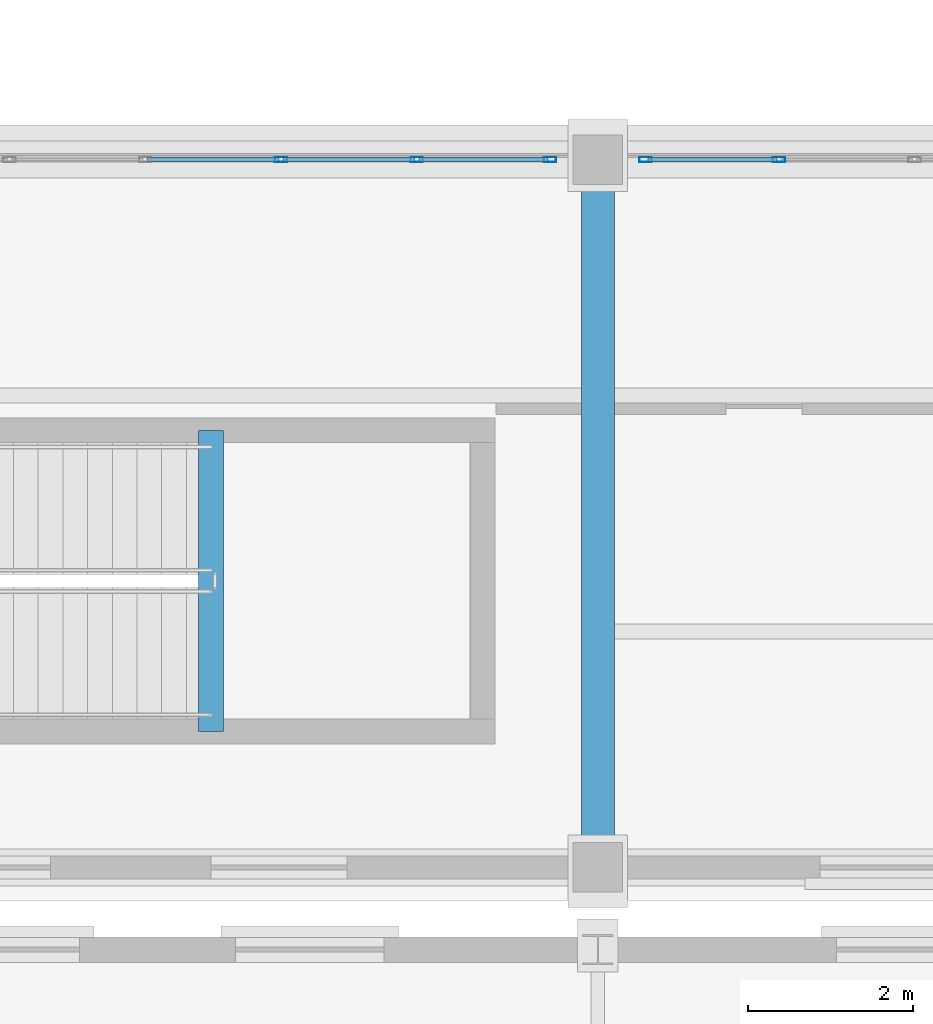
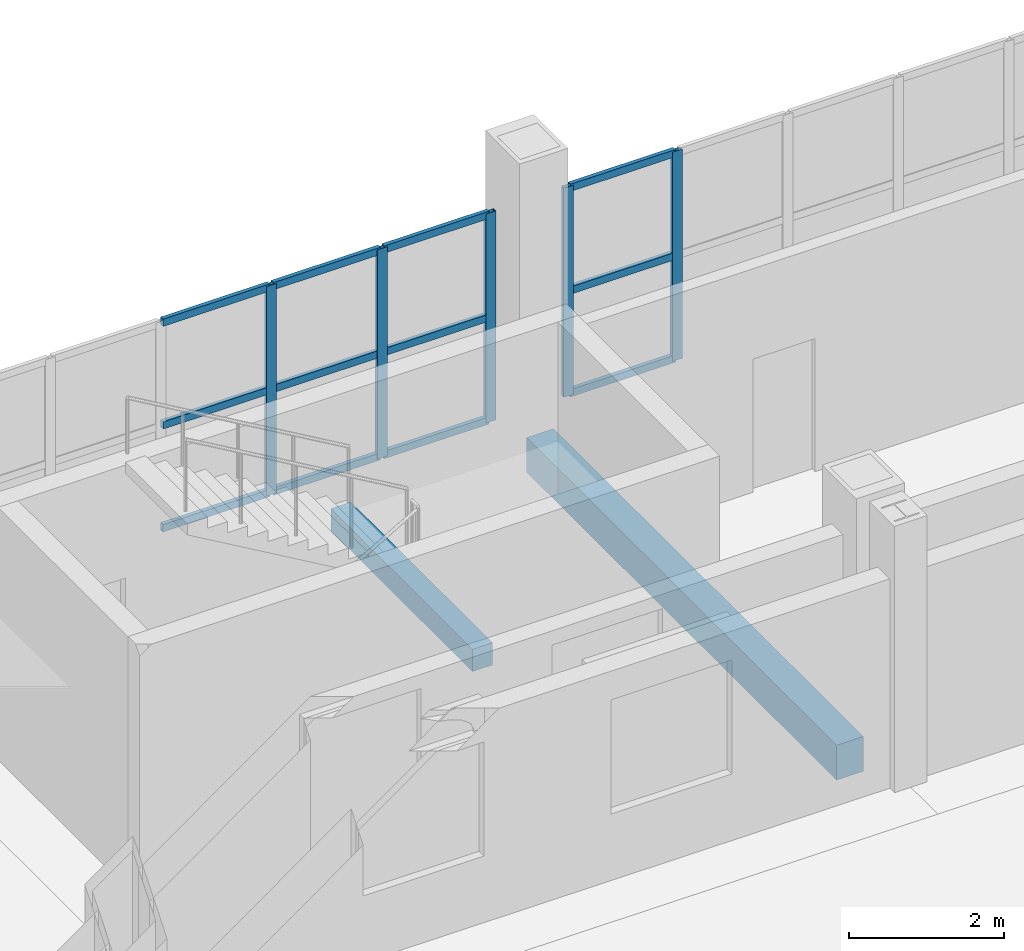
# One storey, part 56 of 120: 17 members, 2 beams, 2 elements without a shape of their own.
"""IFC4 building model written with IfcOpenShell, lengths in metres."""

from ifc_helpers import new_model, si_unit, direction, frame, origin, origin_2d, place, context, subcontext, project, spatial, rectangle, hollow_rectangle, extrude, material, material_profile, profile_set, type_object, element, aggregate, save


model = new_model("IFC4")

# Units and contexts
model_context = context("Model", 3, precision=1e-05, world=origin(), true_north=direction((0.0, 1.0)))
body_context = subcontext(model_context, "Body", "Model", "MODEL_VIEW")
ifc_project = project(units=[si_unit("LENGTHUNIT", "METRE"), si_unit("AREAUNIT", "SQUARE_METRE"), si_unit("VOLUMEUNIT", "CUBIC_METRE"), si_unit("PLANEANGLEUNIT", "RADIAN"), si_unit("MASSUNIT", "GRAM", prefix="KILO")], contexts=[model_context])

# Site, building, storey
site_placement = place(None, origin())
site = spatial("IfcSite", under=ifc_project, at=site_placement, CompositionType="ELEMENT")
building_placement = place(site_placement, origin())
building = spatial("IfcBuilding", under=site, at=building_placement, Name="Caurita Quay Ferry Terminal", CompositionType="ELEMENT")
storey_placement = place(building_placement, frame((0.0, 0.0, 9.89990234375)))
storey = spatial("IfcBuildingStorey", under=building, at=storey_placement, Name="L02", CompositionType="ELEMENT", Elevation=9.89990234375)

# Beam
ifc_material_1 = material(Name="Reinforced concrete C35/45", Category="concrete")
ifc_material_profile_1 = material_profile(ifc_material_1, rectangle(XDim=0.39990234375, YDim=0.550048828125, at=origin_2d()), Name="RC-BM-400X550")
ifc_profile_set_1 = profile_set([ifc_material_profile_1], Name="Reinforced concrete C35/45")
beam_type_1 = type_object("IfcBeamType", Name="BM-RC-4055", PredefinedType="BEAM", material=ifc_profile_set_1)
beam_1_placement = place(storey_placement, frame((44.0, 71.8974609375, -0.494873046875), z_axis=(0.0, 1.0, 0.0), x_axis=(-1.0, 0.0, 0.0)))
element("IfcBeam", 1, at=beam_1_placement, inside=storey, type_object=beam_type_1, Name="L02 Beam BM-V5-L02-Y-440-719", PredefinedType="BEAM", context=body_context, shape_type="SweptSolid", body=[
    extrude(rectangle(XDim=0.39990234375, YDim=0.550048828125, at=origin_2d()), origin(), (0.0, 0.0, 1.0), 8.005126953125),
])

# Curtain wall, members
ifc_material_2 = material(Name="Laminated solar-control insulated glass", Category="glass")
curtain_wall_type = type_object("IfcCurtainWallType", Name="CW-SYS-24", PredefinedType="NOTDEFINED", material=ifc_material_2)
curtain_wall_1_placement = place(storey_placement, origin())
curtain_wall_1 = element("IfcCurtainWall", 2, at=curtain_wall_1_placement, inside=storey, type_object=curtain_wall_type, Name="L02 Courtyard Cloister Storefront 165", PredefinedType="NOTDEFINED")
ifc_material_3 = material(Name="Anodized aluminium 6063-T6", Category="aluminium")
ifc_material_profile_2 = material_profile(ifc_material_3, hollow_rectangle(XDim=0.06005859375, YDim=0.14990234375, WallThickness=0.00341796875, at=origin_2d()), Name="ALU-MUL-60X150")
ifc_profile_set_2 = profile_set([ifc_material_profile_2], Name="Anodized aluminium 6063-T6")
member_type_1 = type_object("IfcMemberType", Name="CW-MUL-150", PredefinedType="MULLION", material=ifc_profile_set_2)
member_1_placement = place(storey_placement, frame((40.14990234375, 80.199951171875, 0.0), z_axis=(0.0, 0.0, 1.0), x_axis=(0.0, 1.0, 0.0)))
member_1 = element("IfcMember", 3, at=member_1_placement, type_object=member_type_1, Name="CW-CRT-165 Mullion 5", PredefinedType="MULLION", context=body_context, shape_type="SweptSolid", body=[
    extrude(hollow_rectangle(XDim=0.06005859375, YDim=0.14990234375, WallThickness=0.00341796875, at=origin_2d()), origin(), (0.0, 0.0, 1.0), 3.300048828125),
])
member_2_placement = place(storey_placement, frame((41.800048828125, 80.199951171875, 0.0), z_axis=(0.0, 0.0, 1.0), x_axis=(0.0, 1.0, 0.0)))
member_2 = element("IfcMember", 4, at=member_2_placement, type_object=member_type_1, Name="CW-CRT-165 Mullion 6", PredefinedType="MULLION", context=body_context, shape_type="SweptSolid", body=[
    extrude(hollow_rectangle(XDim=0.06005859375, YDim=0.14990234375, WallThickness=0.00341796875, at=origin_2d()), origin(), (0.0, 0.0, 1.0), 3.300048828125),
])
member_3_placement = place(storey_placement, frame((43.419921875, 80.199951171875, 0.0), z_axis=(0.0, 0.0, 1.0), x_axis=(0.0, 1.0, 0.0)))
member_3 = element("IfcMember", 5, at=member_3_placement, type_object=member_type_1, Name="CW-CRT-165 Mullion 7", PredefinedType="MULLION", context=body_context, shape_type="SweptSolid", body=[
    extrude(hollow_rectangle(XDim=0.06005859375, YDim=0.14990234375, WallThickness=0.00341796875, at=origin_2d()), origin(), (0.0, 0.0, 1.0), 3.300048828125),
])

curtain_wall_2_placement = place(storey_placement, origin())
curtain_wall_2 = element("IfcCurtainWall", 6, at=curtain_wall_2_placement, inside=storey, type_object=curtain_wall_type, Name="L02 Courtyard Cloister Storefront 166", PredefinedType="NOTDEFINED")
member_4_placement = place(storey_placement, frame((44.580078125, 80.199951171875, 0.0), z_axis=(0.0, 0.0, 1.0), x_axis=(0.0, 1.0, 0.0)))
member_4 = element("IfcMember", 7, at=member_4_placement, type_object=member_type_1, Name="CW-CRT-166 Mullion 1", PredefinedType="MULLION", context=body_context, shape_type="SweptSolid", body=[
    extrude(hollow_rectangle(XDim=0.06005859375, YDim=0.14990234375, WallThickness=0.00341796875, at=origin_2d()), origin(), (0.0, 0.0, 1.0), 3.300048828125),
])
member_5_placement = place(storey_placement, frame((46.199951171875, 80.199951171875, 0.0), z_axis=(0.0, 0.0, 1.0), x_axis=(0.0, 1.0, 0.0)))
member_5 = element("IfcMember", 8, at=member_5_placement, type_object=member_type_1, Name="CW-CRT-166 Mullion 2", PredefinedType="MULLION", context=body_context, shape_type="SweptSolid", body=[
    extrude(hollow_rectangle(XDim=0.06005859375, YDim=0.14990234375, WallThickness=0.00341796875, at=origin_2d()), origin(), (0.0, 0.0, 1.0), 3.300048828125),
])

# Member
ifc_material_profile_3 = material_profile(ifc_material_3, hollow_rectangle(XDim=0.06005859375, YDim=0.114990234375, WallThickness=0.00341796875, at=origin_2d()), Name="ALU-TRN-60X115")
ifc_profile_set_3 = profile_set([ifc_material_profile_3], Name="Anodized aluminium 6063-T6")
member_type_2 = type_object("IfcMemberType", Name="CW-TRN-115", PredefinedType="USERDEFINED", material=ifc_profile_set_3)
member_6_placement = place(storey_placement, frame((38.528076171875, 80.199951171875, 0.030029296875), z_axis=(1.0, 0.0, 0.0), x_axis=(0.0, 1.0, 0.0)))
member_6 = element("IfcMember", 9, at=member_6_placement, type_object=member_type_2, Name="CW-CRT-165 Transom 10", ObjectType="TRANSOM", PredefinedType="USERDEFINED", context=body_context, shape_type="SweptSolid", body=[
    extrude(hollow_rectangle(XDim=0.06005859375, YDim=0.114990234375, WallThickness=0.00341796875, at=origin_2d()), origin(), (0.0, 0.0, 1.0), 1.593994140625),
])

member_7_placement = place(storey_placement, frame((38.528076171875, 80.199951171875, 1.650146484375), z_axis=(1.0, 0.0, 0.0), x_axis=(0.0, 1.0, 0.0)))
member_7 = element("IfcMember", 10, at=member_7_placement, type_object=member_type_2, Name="CW-CRT-165 Transom 11", ObjectType="TRANSOM", PredefinedType="USERDEFINED", context=body_context, shape_type="SweptSolid", body=[
    extrude(hollow_rectangle(XDim=0.06005859375, YDim=0.114990234375, WallThickness=0.00341796875, at=origin_2d()), origin(), (0.0, 0.0, 1.0), 1.593994140625),
])

member_8_placement = place(storey_placement, frame((38.528076171875, 80.199951171875, 3.27001953125), z_axis=(1.0, 0.0, 0.0), x_axis=(0.0, 1.0, 0.0)))
member_8 = element("IfcMember", 11, at=member_8_placement, type_object=member_type_2, Name="CW-CRT-165 Transom 12", ObjectType="TRANSOM", PredefinedType="USERDEFINED", context=body_context, shape_type="SweptSolid", body=[
    extrude(hollow_rectangle(XDim=0.06005859375, YDim=0.114990234375, WallThickness=0.00341796875, at=origin_2d()), origin(), (0.0, 0.0, 1.0), 1.593994140625),
])

member_9_placement = place(storey_placement, frame((40.177978515625, 80.199951171875, 0.030029296875), z_axis=(1.0, 0.0, 0.0), x_axis=(0.0, 1.0, 0.0)))
member_9 = element("IfcMember", 12, at=member_9_placement, type_object=member_type_2, Name="CW-CRT-165 Transom 13", ObjectType="TRANSOM", PredefinedType="USERDEFINED", context=body_context, shape_type="SweptSolid", body=[
    extrude(hollow_rectangle(XDim=0.06005859375, YDim=0.114990234375, WallThickness=0.00341796875, at=origin_2d()), origin(), (0.0, 0.0, 1.0), 1.593994140625),
])

member_10_placement = place(storey_placement, frame((40.177978515625, 80.199951171875, 1.650146484375), z_axis=(1.0, 0.0, 0.0), x_axis=(0.0, 1.0, 0.0)))
member_10 = element("IfcMember", 13, at=member_10_placement, type_object=member_type_2, Name="CW-CRT-165 Transom 14", ObjectType="TRANSOM", PredefinedType="USERDEFINED", context=body_context, shape_type="SweptSolid", body=[
    extrude(hollow_rectangle(XDim=0.06005859375, YDim=0.114990234375, WallThickness=0.00341796875, at=origin_2d()), origin(), (0.0, 0.0, 1.0), 1.593994140625),
])

member_11_placement = place(storey_placement, frame((40.177978515625, 80.199951171875, 3.27001953125), z_axis=(1.0, 0.0, 0.0), x_axis=(0.0, 1.0, 0.0)))
member_11 = element("IfcMember", 14, at=member_11_placement, type_object=member_type_2, Name="CW-CRT-165 Transom 15", ObjectType="TRANSOM", PredefinedType="USERDEFINED", context=body_context, shape_type="SweptSolid", body=[
    extrude(hollow_rectangle(XDim=0.06005859375, YDim=0.114990234375, WallThickness=0.00341796875, at=origin_2d()), origin(), (0.0, 0.0, 1.0), 1.593994140625),
])

member_12_placement = place(storey_placement, frame((41.827880859375, 80.199951171875, 0.030029296875), z_axis=(1.0, 0.0, 0.0), x_axis=(0.0, 1.0, 0.0)))
member_12 = element("IfcMember", 15, at=member_12_placement, type_object=member_type_2, Name="CW-CRT-165 Transom 16", ObjectType="TRANSOM", PredefinedType="USERDEFINED", context=body_context, shape_type="SweptSolid", body=[
    extrude(hollow_rectangle(XDim=0.06005859375, YDim=0.114990234375, WallThickness=0.00341796875, at=origin_2d()), origin(), (0.0, 0.0, 1.0), 1.564208984375),
])

member_13_placement = place(storey_placement, frame((41.827880859375, 80.199951171875, 1.650146484375), z_axis=(1.0, 0.0, 0.0), x_axis=(0.0, 1.0, 0.0)))
member_13 = element("IfcMember", 16, at=member_13_placement, type_object=member_type_2, Name="CW-CRT-165 Transom 17", ObjectType="TRANSOM", PredefinedType="USERDEFINED", context=body_context, shape_type="SweptSolid", body=[
    extrude(hollow_rectangle(XDim=0.06005859375, YDim=0.114990234375, WallThickness=0.00341796875, at=origin_2d()), origin(), (0.0, 0.0, 1.0), 1.564208984375),
])

member_14_placement = place(storey_placement, frame((41.827880859375, 80.199951171875, 3.27001953125), z_axis=(1.0, 0.0, 0.0), x_axis=(0.0, 1.0, 0.0)))
member_14 = element("IfcMember", 17, at=member_14_placement, type_object=member_type_2, Name="CW-CRT-165 Transom 18", ObjectType="TRANSOM", PredefinedType="USERDEFINED", context=body_context, shape_type="SweptSolid", body=[
    extrude(hollow_rectangle(XDim=0.06005859375, YDim=0.114990234375, WallThickness=0.00341796875, at=origin_2d()), origin(), (0.0, 0.0, 1.0), 1.564208984375),
])

aggregate(curtain_wall_1, [member_1, member_2, member_3, member_6, member_7, member_8, member_9, member_10, member_11, member_12, member_13, member_14])

member_15_placement = place(storey_placement, frame((44.60791015625, 80.199951171875, 0.030029296875), z_axis=(1.0, 0.0, 0.0), x_axis=(0.0, 1.0, 0.0)))
member_15 = element("IfcMember", 18, at=member_15_placement, type_object=member_type_2, Name="CW-CRT-166 Transom 1", ObjectType="TRANSOM", PredefinedType="USERDEFINED", context=body_context, shape_type="SweptSolid", body=[
    extrude(hollow_rectangle(XDim=0.06005859375, YDim=0.114990234375, WallThickness=0.00341796875, at=origin_2d()), origin(), (0.0, 0.0, 1.0), 1.564208984375),
])

member_16_placement = place(storey_placement, frame((44.60791015625, 80.199951171875, 1.650146484375), z_axis=(1.0, 0.0, 0.0), x_axis=(0.0, 1.0, 0.0)))
member_16 = element("IfcMember", 19, at=member_16_placement, type_object=member_type_2, Name="CW-CRT-166 Transom 2", ObjectType="TRANSOM", PredefinedType="USERDEFINED", context=body_context, shape_type="SweptSolid", body=[
    extrude(hollow_rectangle(XDim=0.06005859375, YDim=0.114990234375, WallThickness=0.00341796875, at=origin_2d()), origin(), (0.0, 0.0, 1.0), 1.564208984375),
])

member_17_placement = place(storey_placement, frame((44.60791015625, 80.199951171875, 3.27001953125), z_axis=(1.0, 0.0, 0.0), x_axis=(0.0, 1.0, 0.0)))
member_17 = element("IfcMember", 20, at=member_17_placement, type_object=member_type_2, Name="CW-CRT-166 Transom 3", ObjectType="TRANSOM", PredefinedType="USERDEFINED", context=body_context, shape_type="SweptSolid", body=[
    extrude(hollow_rectangle(XDim=0.06005859375, YDim=0.114990234375, WallThickness=0.00341796875, at=origin_2d()), origin(), (0.0, 0.0, 1.0), 1.564208984375),
])

aggregate(curtain_wall_2, [member_4, member_5, member_15, member_16, member_17])

# Beam
ifc_material_profile_4 = material_profile(ifc_material_1, rectangle(XDim=0.300048828125, YDim=0.35009765625, at=origin_2d()), Name="RC-LN-300X350")
ifc_profile_set_4 = profile_set([ifc_material_profile_4], Name="Reinforced concrete C35/45")
beam_type_2 = type_object("IfcBeamType", Name="LN-RC-3035", PredefinedType="LINTEL", material=ifc_profile_set_4)
beam_2_placement = place(storey_placement, frame((39.300048828125, 73.25, 1.925048828125), z_axis=(0.0, 1.0, 0.0), x_axis=(-1.0, 0.0, 0.0)))
element("IfcBeam", 21, at=beam_2_placement, inside=storey, type_object=beam_type_2, Name="L02 Stair ST-03 Half-Landing Beam 1", PredefinedType="LINTEL", context=body_context, shape_type="SweptSolid", body=[
    extrude(rectangle(XDim=0.300048828125, YDim=0.35009765625, at=origin_2d()), origin(), (0.0, 0.0, 1.0), 3.659912109375),
])

save(model, "model.ifc")
